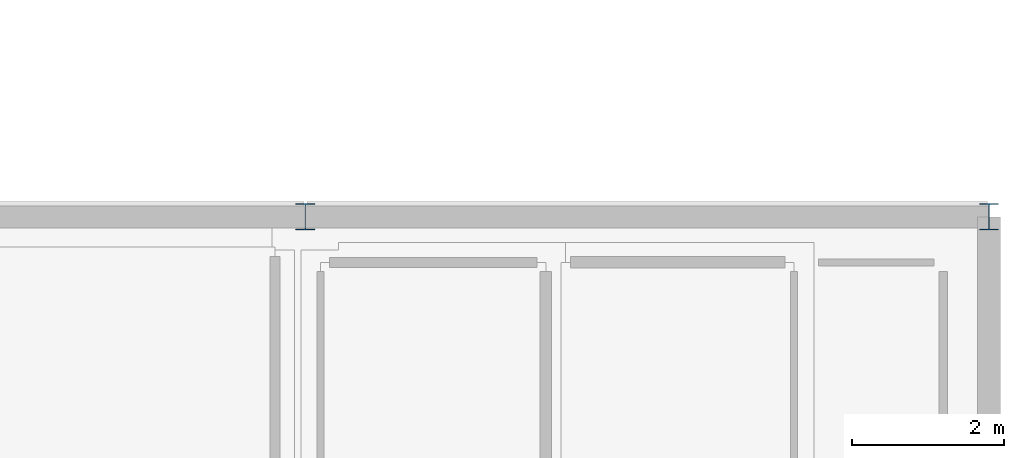
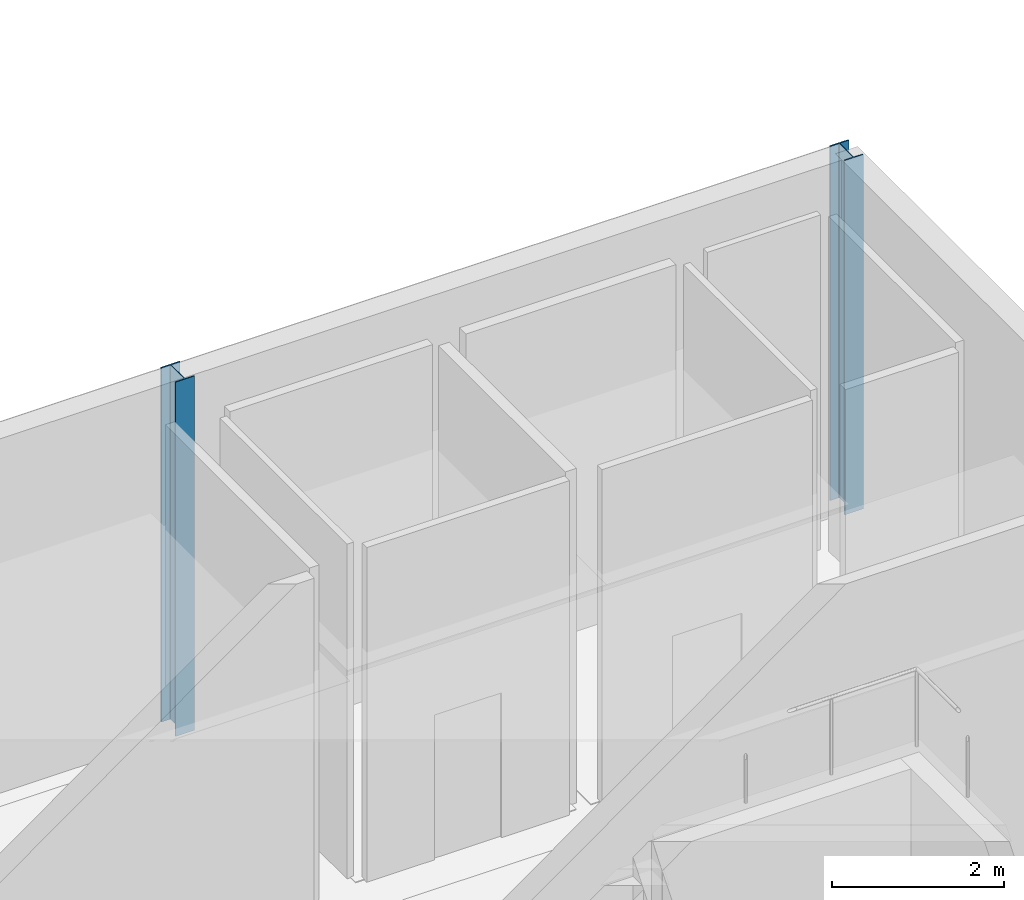
# One storey, part 28 of 161: 2 columns.
"""IFC4 building model written with IfcOpenShell, lengths in metres."""

from ifc_helpers import new_model, si_unit, direction, frame, origin, origin_2d, place, context, subcontext, project, spatial, i_section, extrude, material, material_profile, profile_set, type_object, element, save


model = new_model("IFC4")

# Units and contexts
model_context = context("Model", 3, precision=1e-05, world=origin(), true_north=direction((0.0, 1.0)))
body_context = subcontext(model_context, "Body", "Model", "MODEL_VIEW")
ifc_project = project(units=[si_unit("LENGTHUNIT", "METRE"), si_unit("AREAUNIT", "SQUARE_METRE"), si_unit("VOLUMEUNIT", "CUBIC_METRE"), si_unit("PLANEANGLEUNIT", "RADIAN"), si_unit("MASSUNIT", "GRAM", prefix="KILO")], contexts=[model_context])

# Site, building, storey
site_placement = place(None, origin())
site = spatial("IfcSite", under=ifc_project, at=site_placement, CompositionType="ELEMENT")
building_placement = place(site_placement, origin())
building = spatial("IfcBuilding", under=site, at=building_placement, Name="Caisbarro Railhouse Central Library", CompositionType="ELEMENT")
storey_placement = place(building_placement, origin())
storey = spatial("IfcBuildingStorey", under=building, at=storey_placement, Name="L00", CompositionType="ELEMENT", Elevation=0.0)

# Columns
ifc_material = material(Name="Steel ASTM A572 Grade 50", Category="steel")
ifc_material_profile = material_profile(ifc_material, i_section(OverallWidth=0.25390625, OverallDepth=0.35302734375, WebThickness=0.009521484375, FlangeThickness=0.016357421875, FilletRadius=0.014892578125, at=origin_2d()), Name="W360X91.0")
ifc_profile_set = profile_set([ifc_material_profile], Name="Steel ASTM A572 Grade 50")
column_type = type_object("IfcColumnType", Name="COL-C05", PredefinedType="COLUMN", material=ifc_profile_set)
for number, where, z_axis, x_axis, name in (
    (1, (171.0, 38.0, 0.0), (0.0, 0.0, 1.0), (1.0, 0.0, 0.0), "C05 column L00 (171.0,38.0)"),
    (2, (180.0, 38.0, 0.0), (0.0, 0.0, 1.0), (1.0, 0.0, 0.0), "C05 column L00 (180.0,38.0)"),
):
    element("IfcColumn", number, at=place(storey_placement, frame(where, z_axis=z_axis, x_axis=x_axis)), inside=storey, type_object=column_type, Name=name, PredefinedType="COLUMN", context=body_context, shape_type="SweptSolid", body=[
        extrude(i_section(OverallWidth=0.25390625, OverallDepth=0.35302734375, WebThickness=0.009521484375, FlangeThickness=0.016357421875, FilletRadius=0.014892578125, at=origin_2d()), origin(), (0.0, 0.0, 1.0), 5.0400390625),
    ])

save(model, "model.ifc")
